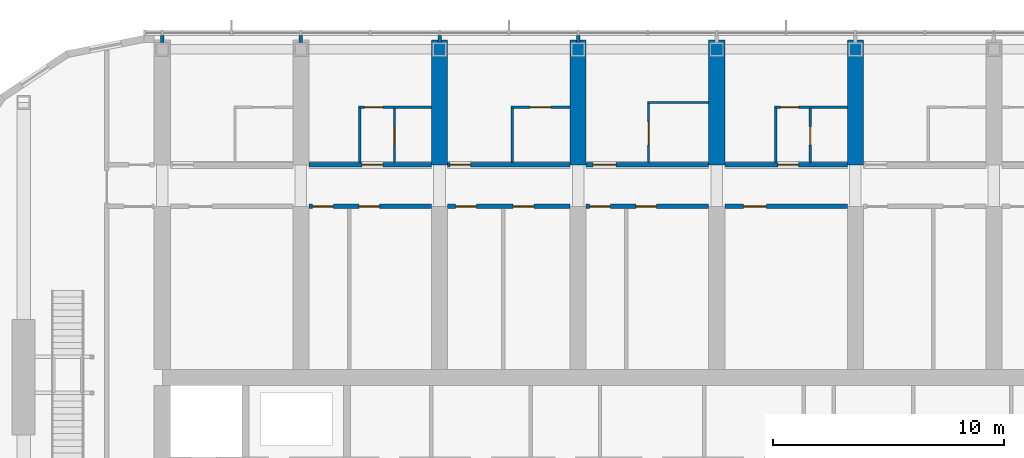
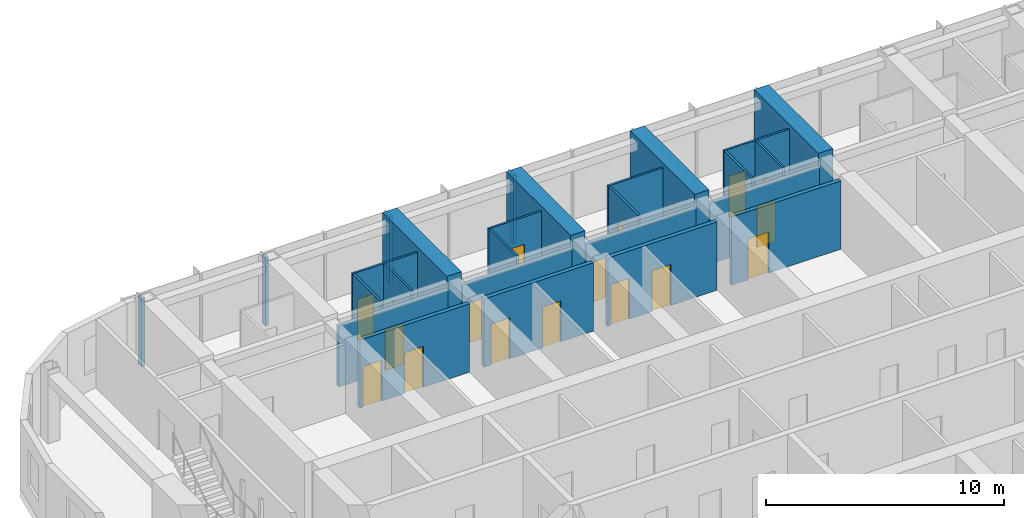
# One storey, part 19 of 28: 26 walls, 17 doors, 17 openings.
"""IFC4 building model written with IfcOpenShell, lengths in metres."""

from ifc_helpers import new_model, si_unit, direction, frame, frame_2d, origin, place, context, subcontext, project, spatial, polyline, rectangle, outline, extrude, material, layer, layer_set, type_object, element, fill, save


model = new_model("IFC4")

# Units and contexts
model_context = context("Model", 3, precision=1e-05, world=origin(), true_north=direction((0.0, 1.0)))
body_context = subcontext(model_context, "Body", "Model", "MODEL_VIEW")
ifc_project = project(units=[si_unit("LENGTHUNIT", "METRE"), si_unit("AREAUNIT", "SQUARE_METRE"), si_unit("VOLUMEUNIT", "CUBIC_METRE"), si_unit("PLANEANGLEUNIT", "RADIAN"), si_unit("MASSUNIT", "GRAM", prefix="KILO")], contexts=[model_context])

# Site, building, storey
site_placement = place(None, origin())
site = spatial("IfcSite", under=ifc_project, at=site_placement, CompositionType="ELEMENT")
building_placement = place(site_placement, origin())
building = spatial("IfcBuilding", under=site, at=building_placement, Name="Orbita Commons", CompositionType="ELEMENT")
storey_placement = place(building_placement, frame((0.0, 0.0, 216.550048828125)))
storey = spatial("IfcBuildingStorey", under=building, at=storey_placement, Name="L53", CompositionType="ELEMENT", Elevation=216.550048828125)

# Wall, opening, door
ifc_material_1 = material(Name="Concrete blockwork", Category="masonry")
ifc_layer_1 = layer(ifc_material_1, 0.199951171875)
ifc_layer_set_1 = layer_set([ifc_layer_1], Name="Concrete blockwork")
wall_type_1 = type_object("IfcWallType", Name="Corridor wall 200 blockwork", PredefinedType="SOLIDWALL", material=ifc_layer_set_1)
wall_1_placement = place(storey_placement, frame((24.35009765625, 47.39990234375, 0.0), z_axis=(0.0, 0.0, 1.0), x_axis=(1.0, 0.0, 0.0)))
wall_1 = element("IfcWall", 1, at=wall_1_placement, inside=storey, type_object=wall_type_1, Name="Corridor wall 200 blockwork L53", PredefinedType="SOLIDWALL", context=body_context, shape_type="SweptSolid", body=[
    extrude(outline(polyline([(0.0, 0.0), (5.2998046875, 0.0), (5.300048828125, 3.099853515625), (0.0, 3.099853515625), (0.0, 0.0)])), frame((0.0, 0.10009765625, 0.0), z_axis=(0.0, -1.0, 0.0), x_axis=(1.0, 0.0, 0.0)), (0.0, 0.0, 1.0), 0.199951171875),
])
opening_1_placement = place(wall_1_placement, frame((2.300048828125, 0.0, 0.0)))
opening_1 = element("IfcOpeningElement", 2, at=opening_1_placement, cuts=wall_1, Name="Opening D11", PredefinedType="OPENING", context=body_context, shape_type="SweptSolid", body=[
    extrude(rectangle(XDim=0.89990234375, YDim=2.10009765625, at=frame_2d((0.449951171875, 1.050048828125))), frame((0.0, 0.10986328125, 0.0), z_axis=(0.0, -1.0, 0.0), x_axis=(1.0, 0.0, 0.0)), (0.0, 0.0, 1.0), 0.219970703125),
])
ifc_material_2 = material(Name="Steel-faced fire door leaf", Category="steel")
door_type_1 = type_object("IfcDoorType", Name="Corridor door 20 min 900x2100", OperationType="SINGLE_SWING_LEFT", PredefinedType="DOOR", material=ifc_material_2)
door_1_placement = place(opening_1_placement, origin())
door_1 = element("IfcDoor", 3, at=door_1_placement, inside=storey, type_object=door_type_1, Name="Studio flat L53-N02 entrance door", OperationType="SINGLE_SWING_LEFT", OverallHeight=2.10009765625, OverallWidth=0.89990234375, PredefinedType="DOOR", context=body_context, shape_type="SweptSolid", body=[
    extrude(rectangle(XDim=0.89990234375, YDim=2.10009765625, at=frame_2d((0.449951171875, 1.050048828125))), frame((0.0, 0.02490234375, 0.0), z_axis=(0.0, -1.0, 0.0), x_axis=(1.0, 0.0, 0.0)), (0.0, 0.0, 1.0), 0.050048828125),
])
fill(opening_1, door_1)

wall_2_placement = place(storey_placement, frame((30.35009765625, 47.39990234375, 0.0), z_axis=(0.0, 0.0, 1.0), x_axis=(1.0, 0.0, 0.0)))
wall_2 = element("IfcWall", 4, at=wall_2_placement, inside=storey, type_object=wall_type_1, Name="Corridor wall 200 blockwork L53", PredefinedType="SOLIDWALL", context=body_context, shape_type="SweptSolid", body=[
    extrude(outline(polyline([(0.0, 0.0), (5.2998046875, 0.0), (5.300048828125, 3.099853515625), (0.0, 3.099853515625), (0.0, 0.0)])), frame((0.0, 0.10009765625, 0.0), z_axis=(0.0, -1.0, 0.0), x_axis=(1.0, 0.0, 0.0)), (0.0, 0.0, 1.0), 0.199951171875),
])
opening_2_placement = place(wall_2_placement, frame((0.10009765625, 0.0, 0.0)))
opening_2 = element("IfcOpeningElement", 5, at=opening_2_placement, cuts=wall_2, Name="Opening D11", PredefinedType="OPENING", context=body_context, shape_type="SweptSolid", body=[
    extrude(rectangle(XDim=0.89990234375, YDim=2.10009765625, at=frame_2d((0.449951171875, 1.050048828125))), frame((0.0, 0.10986328125, 0.0), z_axis=(0.0, -1.0, 0.0), x_axis=(1.0, 0.0, 0.0)), (0.0, 0.0, 1.0), 0.219970703125),
])
door_2_placement = place(opening_2_placement, origin())
door_2 = element("IfcDoor", 6, at=door_2_placement, inside=storey, type_object=door_type_1, Name="Studio apartment with kitchenette L53-N04 door", OperationType="SINGLE_SWING_LEFT", OverallHeight=2.10009765625, OverallWidth=0.89990234375, PredefinedType="DOOR", context=body_context, shape_type="SweptSolid", body=[
    extrude(rectangle(XDim=0.89990234375, YDim=2.10009765625, at=frame_2d((0.449951171875, 1.050048828125))), frame((0.0, 0.02490234375, 0.0), z_axis=(0.0, -1.0, 0.0), x_axis=(1.0, 0.0, 0.0)), (0.0, 0.0, 1.0), 0.050048828125),
])
fill(opening_2, door_2)

wall_3_placement = place(storey_placement, frame((36.35009765625, 47.39990234375, 0.0), z_axis=(0.0, 0.0, 1.0), x_axis=(1.0, 0.0, 0.0)))
wall_3 = element("IfcWall", 7, at=wall_3_placement, inside=storey, type_object=wall_type_1, Name="Corridor wall 200 blockwork L53", PredefinedType="SOLIDWALL", context=body_context, shape_type="SweptSolid", body=[
    extrude(outline(polyline([(0.0, 0.0), (5.2998046875, 0.0), (5.300048828125, 3.099853515625), (0.0, 3.099853515625), (0.0, 0.0)])), frame((0.0, 0.10009765625, 0.0), z_axis=(0.0, -1.0, 0.0), x_axis=(1.0, 0.0, 0.0)), (0.0, 0.0, 1.0), 0.199951171875),
])
opening_3_placement = place(wall_3_placement, frame((0.300048828125, 0.0, 0.0)))
opening_3 = element("IfcOpeningElement", 8, at=opening_3_placement, cuts=wall_3, Name="Opening D06", PredefinedType="OPENING", context=body_context, shape_type="SweptSolid", body=[
    extrude(rectangle(XDim=1.0, YDim=2.10009765625, at=frame_2d((0.5, 1.050048828125))), frame((0.0, 0.10986328125, 0.0), z_axis=(0.0, -1.0, 0.0), x_axis=(1.0, 0.0, 0.0)), (0.0, 0.0, 1.0), 0.219970703125),
])
ifc_material_3 = material(Name="Steel-faced fire door leaf", Category="steel")
door_type_2 = type_object("IfcDoorType", Name="Corridor door 20 min 1000x2100", OperationType="SINGLE_SWING_LEFT", PredefinedType="DOOR", material=ifc_material_3)
door_3_placement = place(opening_3_placement, origin())
door_3 = element("IfcDoor", 9, at=door_3_placement, inside=storey, type_object=door_type_2, Name="Accessible bedroom L53-N06 door", OperationType="SINGLE_SWING_LEFT", OverallHeight=2.10009765625, OverallWidth=1.0, PredefinedType="DOOR", context=body_context, shape_type="SweptSolid", body=[
    extrude(rectangle(XDim=1.0, YDim=2.10009765625, at=frame_2d((0.5, 1.050048828125))), frame((0.0, 0.02490234375, 0.0), z_axis=(0.0, -1.0, 0.0), x_axis=(1.0, 0.0, 0.0)), (0.0, 0.0, 1.0), 0.050048828125),
])
fill(opening_3, door_3)

wall_4_placement = place(storey_placement, frame((42.35009765625, 47.39990234375, 0.0), z_axis=(0.0, 0.0, 1.0), x_axis=(1.0, 0.0, 0.0)))
wall_4 = element("IfcWall", 10, at=wall_4_placement, inside=storey, type_object=wall_type_1, Name="Corridor wall 200 blockwork L53", PredefinedType="SOLIDWALL", context=body_context, shape_type="SweptSolid", body=[
    extrude(outline(polyline([(0.0, 0.0), (5.2998046875, 0.0), (5.300048828125, 3.099853515625), (0.0, 3.099853515625), (0.0, 0.0)])), frame((0.0, 0.10009765625, 0.0), z_axis=(0.0, -1.0, 0.0), x_axis=(1.0, 0.0, 0.0)), (0.0, 0.0, 1.0), 0.199951171875),
])
opening_4_placement = place(wall_4_placement, frame((2.300048828125, 0.0, 0.0)))
opening_4 = element("IfcOpeningElement", 11, at=opening_4_placement, cuts=wall_4, Name="Opening D11", PredefinedType="OPENING", context=body_context, shape_type="SweptSolid", body=[
    extrude(rectangle(XDim=0.89990234375, YDim=2.10009765625, at=frame_2d((0.449951171875, 1.050048828125))), frame((0.0, 0.10986328125, 0.0), z_axis=(0.0, -1.0, 0.0), x_axis=(1.0, 0.0, 0.0)), (0.0, 0.0, 1.0), 0.219970703125),
])
door_4_placement = place(opening_4_placement, origin())
door_4 = element("IfcDoor", 12, at=door_4_placement, inside=storey, type_object=door_type_1, Name="Studio flat L53-N08 entrance door", OperationType="SINGLE_SWING_LEFT", OverallHeight=2.10009765625, OverallWidth=0.89990234375, PredefinedType="DOOR", context=body_context, shape_type="SweptSolid", body=[
    extrude(rectangle(XDim=0.89990234375, YDim=2.10009765625, at=frame_2d((0.449951171875, 1.050048828125))), frame((0.0, 0.02490234375, 0.0), z_axis=(0.0, -1.0, 0.0), x_axis=(1.0, 0.0, 0.0)), (0.0, 0.0, 1.0), 0.050048828125),
])
fill(opening_4, door_4)

# Wall, openings, doors
ifc_material_4 = material(Name="Hollow concrete block 200", Category="concrete")
ifc_layer_2 = layer(ifc_material_4, 0.199951171875)
ifc_layer_set_2 = layer_set([ifc_layer_2], Name="Hollow concrete block 200")
wall_type_2 = type_object("IfcWallType", Name="Corridor wall 200 hollow concrete block", PredefinedType="SOLIDWALL", material=ifc_layer_set_2)
wall_5_placement = place(storey_placement, frame((24.35009765625, 45.60009765625, 0.0), z_axis=(0.0, 0.0, 1.0), x_axis=(1.0, 0.0, 0.0)))
wall_5 = element("IfcWall", 13, at=wall_5_placement, inside=storey, type_object=wall_type_2, Name="Corridor wall 200 hollow concrete block L53", PredefinedType="SOLIDWALL", context=body_context, shape_type="SweptSolid", body=[
    extrude(rectangle(XDim=5.2998046875, YDim=0.199951171875, at=frame_2d((2.64990234375, 0.0))), origin(), (0.0, 0.0, 1.0), 3.5),
])
opening_5_placement = place(wall_5_placement, frame((0.14990234375, 0.0, 0.0)))
opening_5 = element("IfcOpeningElement", 14, at=opening_5_placement, cuts=wall_5, Name="Opening D11", PredefinedType="OPENING", context=body_context, shape_type="SweptSolid", body=[
    extrude(rectangle(XDim=0.89990234375, YDim=2.10009765625, at=frame_2d((0.449951171875, 1.050048828125))), frame((0.0, 0.10986328125, 0.0), z_axis=(0.0, -1.0, 0.0), x_axis=(1.0, 0.0, 0.0)), (0.0, 0.0, 1.0), 0.219970703125),
])
opening_6_placement = place(wall_5_placement, frame((2.159912109375, 0.0, 0.0)))
opening_6 = element("IfcOpeningElement", 15, at=opening_6_placement, cuts=wall_5, Name="Opening D11", PredefinedType="OPENING", context=body_context, shape_type="SweptSolid", body=[
    extrude(rectangle(XDim=0.89990234375, YDim=2.10009765625, at=frame_2d((0.449951171875, 1.050048828125))), frame((0.0, 0.10986328125, 0.0), z_axis=(0.0, -1.0, 0.0), x_axis=(1.0, 0.0, 0.0)), (0.0, 0.0, 1.0), 0.219970703125),
])
door_5_placement = place(opening_5_placement, origin())
door_5 = element("IfcDoor", 16, at=door_5_placement, inside=storey, type_object=door_type_1, Name="Water heater cupboard L53-BDN24n door", OperationType="SINGLE_SWING_LEFT", OverallHeight=2.10009765625, OverallWidth=0.89990234375, PredefinedType="DOOR", context=body_context, shape_type="SweptSolid", body=[
    extrude(rectangle(XDim=0.89990234375, YDim=2.10009765625, at=frame_2d((0.449951171875, 1.050048828125))), frame((0.0, 0.02490234375, 0.0), z_axis=(0.0, -1.0, 0.0), x_axis=(1.0, 0.0, 0.0)), (0.0, 0.0, 1.0), 0.050048828125),
])
fill(opening_5, door_5)
door_6_placement = place(opening_6_placement, origin())
door_6 = element("IfcDoor", 17, at=door_6_placement, inside=storey, type_object=door_type_1, Name="Electrical and data room L53-BDN24 door", OperationType="SINGLE_SWING_LEFT", OverallHeight=2.10009765625, OverallWidth=0.89990234375, PredefinedType="DOOR", context=body_context, shape_type="SweptSolid", body=[
    extrude(rectangle(XDim=0.89990234375, YDim=2.10009765625, at=frame_2d((0.449951171875, 1.050048828125))), frame((0.0, 0.02490234375, 0.0), z_axis=(0.0, -1.0, 0.0), x_axis=(1.0, 0.0, 0.0)), (0.0, 0.0, 1.0), 0.050048828125),
])
fill(opening_6, door_6)

wall_6_placement = place(storey_placement, frame((30.35009765625, 45.60009765625, 0.0), z_axis=(0.0, 0.0, 1.0), x_axis=(1.0, 0.0, 0.0)))
wall_6 = element("IfcWall", 18, at=wall_6_placement, inside=storey, type_object=wall_type_2, Name="Corridor wall 200 hollow concrete block L53", PredefinedType="SOLIDWALL", context=body_context, shape_type="SweptSolid", body=[
    extrude(rectangle(XDim=5.2998046875, YDim=0.199951171875, at=frame_2d((2.64990234375, 0.0))), origin(), (0.0, 0.0, 1.0), 3.5),
])
opening_7_placement = place(wall_6_placement, frame((0.35009765625, 0.0, 0.0)))
opening_7 = element("IfcOpeningElement", 19, at=opening_7_placement, cuts=wall_6, Name="Opening D11", PredefinedType="OPENING", context=body_context, shape_type="SweptSolid", body=[
    extrude(rectangle(XDim=0.89990234375, YDim=2.10009765625, at=frame_2d((0.449951171875, 1.050048828125))), frame((0.0, 0.10986328125, 0.0), z_axis=(0.0, -1.0, 0.0), x_axis=(1.0, 0.0, 0.0)), (0.0, 0.0, 1.0), 0.219970703125),
])
opening_8_placement = place(wall_6_placement, frame((2.8349609375, 0.0, 0.0)))
opening_8 = element("IfcOpeningElement", 20, at=opening_8_placement, cuts=wall_6, Name="Opening D11", PredefinedType="OPENING", context=body_context, shape_type="SweptSolid", body=[
    extrude(rectangle(XDim=0.89990234375, YDim=2.10009765625, at=frame_2d((0.449951171875, 1.050048828125))), frame((0.0, 0.10986328125, 0.0), z_axis=(0.0, -1.0, 0.0), x_axis=(1.0, 0.0, 0.0)), (0.0, 0.0, 1.0), 0.219970703125),
])
door_7_placement = place(opening_7_placement, origin())
door_7 = element("IfcDoor", 21, at=door_7_placement, inside=storey, type_object=door_type_1, Name="Equipment store L53-BDN30n door", OperationType="SINGLE_SWING_LEFT", OverallHeight=2.10009765625, OverallWidth=0.89990234375, PredefinedType="DOOR", context=body_context, shape_type="SweptSolid", body=[
    extrude(rectangle(XDim=0.89990234375, YDim=2.10009765625, at=frame_2d((0.449951171875, 1.050048828125))), frame((0.0, 0.02490234375, 0.0), z_axis=(0.0, -1.0, 0.0), x_axis=(1.0, 0.0, 0.0)), (0.0, 0.0, 1.0), 0.050048828125),
])
fill(opening_7, door_7)
door_8_placement = place(opening_8_placement, origin())
door_8 = element("IfcDoor", 22, at=door_8_placement, inside=storey, type_object=door_type_1, Name="Ventilation plant room north L53-BDN30 door", OperationType="SINGLE_SWING_LEFT", OverallHeight=2.10009765625, OverallWidth=0.89990234375, PredefinedType="DOOR", context=body_context, shape_type="SweptSolid", body=[
    extrude(rectangle(XDim=0.89990234375, YDim=2.10009765625, at=frame_2d((0.449951171875, 1.050048828125))), frame((0.0, 0.02490234375, 0.0), z_axis=(0.0, -1.0, 0.0), x_axis=(1.0, 0.0, 0.0)), (0.0, 0.0, 1.0), 0.050048828125),
])
fill(opening_8, door_8)

wall_7_placement = place(storey_placement, frame((36.35009765625, 45.60009765625, 0.0), z_axis=(0.0, 0.0, 1.0), x_axis=(1.0, 0.0, 0.0)))
wall_7 = element("IfcWall", 23, at=wall_7_placement, inside=storey, type_object=wall_type_2, Name="Corridor wall 200 hollow concrete block L53", PredefinedType="SOLIDWALL", context=body_context, shape_type="SweptSolid", body=[
    extrude(rectangle(XDim=5.2998046875, YDim=0.199951171875, at=frame_2d((2.64990234375, 0.0))), origin(), (0.0, 0.0, 1.0), 3.5),
])
opening_9_placement = place(wall_7_placement, frame((0.14990234375, 0.0, 0.0)))
opening_9 = element("IfcOpeningElement", 24, at=opening_9_placement, cuts=wall_7, Name="Opening D11", PredefinedType="OPENING", context=body_context, shape_type="SweptSolid", body=[
    extrude(rectangle(XDim=0.89990234375, YDim=2.10009765625, at=frame_2d((0.449951171875, 1.050048828125))), frame((0.0, 0.10986328125, 0.0), z_axis=(0.0, -1.0, 0.0), x_axis=(1.0, 0.0, 0.0)), (0.0, 0.0, 1.0), 0.219970703125),
])
opening_10_placement = place(wall_7_placement, frame((2.14990234375, 0.0, 0.0)))
opening_10 = element("IfcOpeningElement", 25, at=opening_10_placement, cuts=wall_7, Name="Opening D11", PredefinedType="OPENING", context=body_context, shape_type="SweptSolid", body=[
    extrude(rectangle(XDim=0.89990234375, YDim=2.10009765625, at=frame_2d((0.449951171875, 1.050048828125))), frame((0.0, 0.10986328125, 0.0), z_axis=(0.0, -1.0, 0.0), x_axis=(1.0, 0.0, 0.0)), (0.0, 0.0, 1.0), 0.219970703125),
])
door_9_placement = place(opening_9_placement, origin())
door_9 = element("IfcDoor", 26, at=door_9_placement, inside=storey, type_object=door_type_1, Name="Battery and UPS room L53-BDN36n door", OperationType="SINGLE_SWING_LEFT", OverallHeight=2.10009765625, OverallWidth=0.89990234375, PredefinedType="DOOR", context=body_context, shape_type="SweptSolid", body=[
    extrude(rectangle(XDim=0.89990234375, YDim=2.10009765625, at=frame_2d((0.449951171875, 1.050048828125))), frame((0.0, 0.02490234375, 0.0), z_axis=(0.0, -1.0, 0.0), x_axis=(1.0, 0.0, 0.0)), (0.0, 0.0, 1.0), 0.050048828125),
])
fill(opening_9, door_9)
door_10_placement = place(opening_10_placement, origin())
door_10 = element("IfcDoor", 27, at=door_10_placement, inside=storey, type_object=door_type_1, Name="Furniture store L53-BDN36 door", OperationType="SINGLE_SWING_LEFT", OverallHeight=2.10009765625, OverallWidth=0.89990234375, PredefinedType="DOOR", context=body_context, shape_type="SweptSolid", body=[
    extrude(rectangle(XDim=0.89990234375, YDim=2.10009765625, at=frame_2d((0.449951171875, 1.050048828125))), frame((0.0, 0.02490234375, 0.0), z_axis=(0.0, -1.0, 0.0), x_axis=(1.0, 0.0, 0.0)), (0.0, 0.0, 1.0), 0.050048828125),
])
fill(opening_10, door_10)

# Wall, opening, door
wall_8_placement = place(storey_placement, frame((42.35009765625, 45.60009765625, 0.0), z_axis=(0.0, 0.0, 1.0), x_axis=(1.0, 0.0, 0.0)))
wall_8 = element("IfcWall", 28, at=wall_8_placement, inside=storey, type_object=wall_type_2, Name="Corridor wall 200 hollow concrete block L53", PredefinedType="SOLIDWALL", context=body_context, shape_type="SweptSolid", body=[
    extrude(rectangle(XDim=5.2998046875, YDim=0.199951171875, at=frame_2d((2.64990234375, 0.0))), origin(), (0.0, 0.0, 1.0), 3.5),
])
opening_11_placement = place(wall_8_placement, frame((0.800048828125, 0.0, 0.0)))
opening_11 = element("IfcOpeningElement", 29, at=opening_11_placement, cuts=wall_8, Name="Opening D06", PredefinedType="OPENING", context=body_context, shape_type="SweptSolid", body=[
    extrude(rectangle(XDim=1.0, YDim=2.10009765625, at=frame_2d((0.5, 1.050048828125))), frame((0.0, 0.10986328125, 0.0), z_axis=(0.0, -1.0, 0.0), x_axis=(1.0, 0.0, 0.0)), (0.0, 0.0, 1.0), 0.219970703125),
])
door_11_placement = place(opening_11_placement, origin())
door_11 = element("IfcDoor", 30, at=door_11_placement, inside=storey, type_object=door_type_2, Name="Store L53-BDN42 door", OperationType="SINGLE_SWING_LEFT", OverallHeight=2.10009765625, OverallWidth=1.0, PredefinedType="DOOR", context=body_context, shape_type="SweptSolid", body=[
    extrude(rectangle(XDim=1.0, YDim=2.10009765625, at=frame_2d((0.5, 1.050048828125))), frame((0.0, 0.02490234375, 0.0), z_axis=(0.0, -1.0, 0.0), x_axis=(1.0, 0.0, 0.0)), (0.0, 0.0, 1.0), 0.050048828125),
])
fill(opening_11, door_11)

# Walls
ifc_material_5 = material(Name="Concrete C50/60", Category="concrete")
ifc_layer_3 = layer(ifc_material_5, 0.699951171875)
ifc_layer_set_3 = layer_set([ifc_layer_3], Name="Concrete C50/60")
wall_type_3 = type_object("IfcWallType", Name="Cross wall 700 C50/60", PredefinedType="SHEAR", material=ifc_layer_set_3)
for number, where, z_axis, x_axis, name in (
    (31, (30.0, 47.39990234375, 0.0), (0.0, 0.0, 1.0), (0.0, 1.0, 0.0), "Cross wall 6 north outer L53"),
    (32, (36.0, 47.39990234375, 0.0), (0.0, 0.0, 1.0), (0.0, 1.0, 0.0), "Cross wall 7 north outer L53"),
    (33, (42.0, 47.39990234375, 0.0), (0.0, 0.0, 1.0), (0.0, 1.0, 0.0), "Cross wall 8 north outer L53"),
    (34, (48.0, 47.39990234375, 0.0), (0.0, 0.0, 1.0), (0.0, 1.0, 0.0), "Cross wall 9 north outer L53"),
):
    element("IfcWall", number, at=place(storey_placement, frame(where, z_axis=z_axis, x_axis=x_axis)), inside=storey, type_object=wall_type_3, Name=name, PredefinedType="SHEAR", context=body_context, shape_type="SweptSolid", body=[
        extrude(rectangle(XDim=5.400146484375, YDim=0.699951171875, at=frame_2d((2.7001953125, 0.0))), origin(), (0.0, 0.0, 1.0), 3.75),
    ])

# Wall, opening, door
ifc_material_6 = material(Name="Moisture-resistant plasterboard on steel studs", Category="steel")
ifc_layer_4 = layer(ifc_material_6, 0.10009765625)
ifc_layer_set_4 = layer_set([ifc_layer_4], Name="Moisture-resistant plasterboard on steel studs")
wall_type_4 = type_object("IfcWallType", Name="En-suite partition 100", PredefinedType="PARTITIONING", material=ifc_layer_set_4)
wall_9_placement = place(storey_placement, frame((26.5, 49.89990234375, 0.0), z_axis=(0.0, 0.0, 1.0), x_axis=(1.0, 0.0, 0.0)))
wall_9 = element("IfcWall", 35, at=wall_9_placement, inside=storey, type_object=wall_type_4, Name="En-suite partition 100 L53", PredefinedType="PARTITIONING", context=body_context, shape_type="SweptSolid", body=[
    extrude(rectangle(XDim=3.14990234375, YDim=0.10009765625, at=frame_2d((1.574951171875, 0.0))), origin(), (0.0, 0.0, 1.0), 3.5),
])
opening_12_placement = place(wall_9_placement, frame((0.25, 0.0, 0.0)))
opening_12 = element("IfcOpeningElement", 36, at=opening_12_placement, cuts=wall_9, Name="Opening D16", PredefinedType="OPENING", context=body_context, shape_type="SweptSolid", body=[
    extrude(rectangle(XDim=0.800048828125, YDim=2.10009765625, at=frame_2d((0.39990234375, 1.050048828125))), frame((0.0, 0.06005859375, 0.0), z_axis=(0.0, -1.0, 0.0), x_axis=(1.0, 0.0, 0.0)), (0.0, 0.0, 1.0), 0.1201171875),
])
ifc_material_7 = material(Name="Laminated timber door leaf", Category="wood")
door_type_3 = type_object("IfcDoorType", Name="En-suite door 800x2100", OperationType="SINGLE_SWING_RIGHT", PredefinedType="DOOR", material=ifc_material_7)
door_12_placement = place(opening_12_placement, origin())
door_12 = element("IfcDoor", 37, at=door_12_placement, inside=storey, type_object=door_type_3, Name="Studio flat L53-N02 door", OperationType="SINGLE_SWING_RIGHT", OverallHeight=2.10009765625, OverallWidth=0.800048828125, PredefinedType="DOOR", context=body_context, shape_type="SweptSolid", body=[
    extrude(rectangle(XDim=0.800048828125, YDim=2.10009765625, at=frame_2d((0.39990234375, 1.050048828125))), frame((0.0, 0.02490234375, 0.0), z_axis=(0.0, -1.0, 0.0), x_axis=(1.0, 0.0, 0.0)), (0.0, 0.0, 1.0), 0.050048828125),
])
fill(opening_12, door_12)

# Wall
wall_10_placement = place(storey_placement, frame((26.550048828125, 49.85009765625, 0.0), z_axis=(0.0, 0.0, 1.0), x_axis=(0.0, -1.0, 0.0)))
element("IfcWall", 38, at=wall_10_placement, inside=storey, type_object=wall_type_4, Name="En-suite partition 100 L53", PredefinedType="PARTITIONING", context=body_context, shape_type="SweptSolid", body=[
    extrude(outline(polyline([(0.0, 0.0), (2.35009765625, 0.0), (2.35009765625, 3.099853515625), (2.302001953125, 3.099853515625), (2.300048828125, 3.5), (0.0, 3.5), (0.0, 0.0)])), frame((0.0, 0.050048828125, 0.0), z_axis=(0.0, -1.0, 0.0), x_axis=(1.0, 0.0, 0.0)), (0.0, 0.0, 1.0), 0.10009765625),
])

# Wall, opening, door
wall_11_placement = place(storey_placement, frame((28.050048828125, 49.85009765625, 0.0), z_axis=(0.0, 0.0, 1.0), x_axis=(0.0, -1.0, 0.0)))
wall_11 = element("IfcWall", 39, at=wall_11_placement, inside=storey, type_object=wall_type_4, Name="En-suite partition 100 L53", PredefinedType="PARTITIONING", context=body_context, shape_type="SweptSolid", body=[
    extrude(outline(polyline([(0.0, 0.0), (2.35009765625, 0.0), (2.35009765625, 3.099853515625), (2.302001953125, 3.099853515625), (2.300048828125, 3.5), (0.0, 3.5), (0.0, 0.0)])), frame((0.0, 0.050048828125, 0.0), z_axis=(0.0, -1.0, 0.0), x_axis=(1.0, 0.0, 0.0)), (0.0, 0.0, 1.0), 0.10009765625),
])
opening_13_placement = place(wall_11_placement, frame((0.800048828125, 0.0, 0.0)))
opening_13 = element("IfcOpeningElement", 40, at=opening_13_placement, cuts=wall_11, Name="Opening D16", PredefinedType="OPENING", context=body_context, shape_type="SweptSolid", body=[
    extrude(rectangle(XDim=0.800048828125, YDim=2.10009765625, at=frame_2d((0.39990234375, 1.050048828125))), frame((0.0, 0.06005859375, 0.0), z_axis=(0.0, -1.0, 0.0), x_axis=(1.0, 0.0, 0.0)), (0.0, 0.0, 1.0), 0.1201171875),
])
door_13_placement = place(opening_13_placement, origin())
door_13 = element("IfcDoor", 41, at=door_13_placement, inside=storey, type_object=door_type_3, Name="Studio flat shower room L53-N02 door", OperationType="SINGLE_SWING_RIGHT", OverallHeight=2.10009765625, OverallWidth=0.800048828125, PredefinedType="DOOR", context=body_context, shape_type="SweptSolid", body=[
    extrude(rectangle(XDim=0.800048828125, YDim=2.10009765625, at=frame_2d((0.39990234375, 1.050048828125))), frame((0.0, 0.02490234375, 0.0), z_axis=(0.0, -1.0, 0.0), x_axis=(1.0, 0.0, 0.0)), (0.0, 0.0, 1.0), 0.050048828125),
])
fill(opening_13, door_13)

wall_12_placement = place(storey_placement, frame((33.10009765625, 49.89990234375, 0.0), z_axis=(0.0, 0.0, 1.0), x_axis=(1.0, 0.0, 0.0)))
wall_12 = element("IfcWall", 42, at=wall_12_placement, inside=storey, type_object=wall_type_4, Name="En-suite partition 100 L53", PredefinedType="PARTITIONING", context=body_context, shape_type="SweptSolid", body=[
    extrude(rectangle(XDim=2.5498046875, YDim=0.10009765625, at=frame_2d((1.27490234375, 0.0))), origin(), (0.0, 0.0, 1.0), 3.5),
])
opening_14_placement = place(wall_12_placement, frame((0.824951171875, 0.0, 0.0)))
opening_14 = element("IfcOpeningElement", 43, at=opening_14_placement, cuts=wall_12, Name="Opening D09", PredefinedType="OPENING", context=body_context, shape_type="SweptSolid", body=[
    extrude(rectangle(XDim=0.89990234375, YDim=2.10009765625, at=frame_2d((0.449951171875, 1.050048828125))), frame((0.0, 0.06005859375, 0.0), z_axis=(0.0, -1.0, 0.0), x_axis=(1.0, 0.0, 0.0)), (0.0, 0.0, 1.0), 0.1201171875),
])
ifc_material_8 = material(Name="Laminated timber door leaf", Category="wood")
door_type_4 = type_object("IfcDoorType", Name="En-suite door 900x2100", OperationType="SINGLE_SWING_RIGHT", PredefinedType="DOOR", material=ifc_material_8)
door_14_placement = place(opening_14_placement, origin())
door_14 = element("IfcDoor", 44, at=door_14_placement, inside=storey, type_object=door_type_4, Name="En-suite L53-N04 door", OperationType="SINGLE_SWING_RIGHT", OverallHeight=2.10009765625, OverallWidth=0.89990234375, PredefinedType="DOOR", context=body_context, shape_type="SweptSolid", body=[
    extrude(rectangle(XDim=0.89990234375, YDim=2.10009765625, at=frame_2d((0.449951171875, 1.050048828125))), frame((0.0, 0.02490234375, 0.0), z_axis=(0.0, -1.0, 0.0), x_axis=(1.0, 0.0, 0.0)), (0.0, 0.0, 1.0), 0.050048828125),
])
fill(opening_14, door_14)

# Walls
wall_13_placement = place(storey_placement, frame((33.14990234375, 49.85009765625, 0.0), z_axis=(0.0, 0.0, 1.0), x_axis=(0.0, -1.0, 0.0)))
element("IfcWall", 45, at=wall_13_placement, inside=storey, type_object=wall_type_4, Name="En-suite partition 100 L53", PredefinedType="PARTITIONING", context=body_context, shape_type="SweptSolid", body=[
    extrude(outline(polyline([(0.0, 0.0), (2.35009765625, 0.0), (2.35009765625, 3.099853515625), (2.302001953125, 3.099853515625), (2.300048828125, 3.5), (0.0, 3.5), (0.0, 0.0)])), frame((0.0, 0.050048828125, 0.0), z_axis=(0.0, -1.0, 0.0), x_axis=(1.0, 0.0, 0.0)), (0.0, 0.0, 1.0), 0.10009765625),
])
wall_14_placement = place(storey_placement, frame((39.0, 50.10009765625, 0.0), z_axis=(0.0, 0.0, 1.0), x_axis=(1.0, 0.0, 0.0)))
element("IfcWall", 46, at=wall_14_placement, inside=storey, type_object=wall_type_4, Name="En-suite partition 100 L53", PredefinedType="PARTITIONING", context=body_context, shape_type="SweptSolid", body=[
    extrude(rectangle(XDim=2.64990234375, YDim=0.10009765625, at=frame_2d((1.324951171875, 0.0))), origin(), (0.0, 0.0, 1.0), 3.5),
])

# Wall, opening, door
wall_15_placement = place(storey_placement, frame((39.050048828125, 50.050048828125, 0.0), z_axis=(0.0, 0.0, 1.0), x_axis=(0.0, -1.0, 0.0)))
wall_15 = element("IfcWall", 47, at=wall_15_placement, inside=storey, type_object=wall_type_4, Name="En-suite partition 100 L53", PredefinedType="PARTITIONING", context=body_context, shape_type="SweptSolid", body=[
    extrude(outline(polyline([(0.0, 0.0), (2.550048828125, 0.0), (2.550048828125, 3.099853515625), (2.501953125, 3.099853515625), (2.5, 3.5), (0.0, 3.5), (0.0, 0.0)])), frame((0.0, 0.050048828125, 0.0), z_axis=(0.0, -1.0, 0.0), x_axis=(1.0, 0.0, 0.0)), (0.0, 0.0, 1.0), 0.10009765625),
])
opening_15_placement = place(wall_15_placement, frame((0.800048828125, 0.0, 0.0)))
opening_15 = element("IfcOpeningElement", 48, at=opening_15_placement, cuts=wall_15, Name="Opening D13", PredefinedType="OPENING", context=body_context, shape_type="SweptSolid", body=[
    extrude(rectangle(XDim=1.0, YDim=2.10009765625, at=frame_2d((0.5, 1.050048828125))), frame((0.0, 0.06005859375, 0.0), z_axis=(0.0, -1.0, 0.0), x_axis=(1.0, 0.0, 0.0)), (0.0, 0.0, 1.0), 0.1201171875),
])
ifc_material_9 = material(Name="Laminated timber door leaf", Category="wood")
door_type_5 = type_object("IfcDoorType", Name="En-suite door 1000x2100", OperationType="SINGLE_SWING_RIGHT", PredefinedType="DOOR", material=ifc_material_9)
door_15_placement = place(opening_15_placement, origin())
door_15 = element("IfcDoor", 49, at=door_15_placement, inside=storey, type_object=door_type_5, Name="Accessible shower room L53-N06 door", OperationType="SINGLE_SWING_RIGHT", OverallHeight=2.10009765625, OverallWidth=1.0, PredefinedType="DOOR", context=body_context, shape_type="SweptSolid", body=[
    extrude(rectangle(XDim=1.0, YDim=2.10009765625, at=frame_2d((0.5, 1.050048828125))), frame((0.0, 0.02490234375, 0.0), z_axis=(0.0, -1.0, 0.0), x_axis=(1.0, 0.0, 0.0)), (0.0, 0.0, 1.0), 0.050048828125),
])
fill(opening_15, door_15)

wall_16_placement = place(storey_placement, frame((44.5, 49.89990234375, 0.0), z_axis=(0.0, 0.0, 1.0), x_axis=(1.0, 0.0, 0.0)))
wall_16 = element("IfcWall", 50, at=wall_16_placement, inside=storey, type_object=wall_type_4, Name="En-suite partition 100 L53", PredefinedType="PARTITIONING", context=body_context, shape_type="SweptSolid", body=[
    extrude(rectangle(XDim=3.14990234375, YDim=0.10009765625, at=frame_2d((1.574951171875, 0.0))), origin(), (0.0, 0.0, 1.0), 3.5),
])
opening_16_placement = place(wall_16_placement, frame((0.25, 0.0, 0.0)))
opening_16 = element("IfcOpeningElement", 51, at=opening_16_placement, cuts=wall_16, Name="Opening D16", PredefinedType="OPENING", context=body_context, shape_type="SweptSolid", body=[
    extrude(rectangle(XDim=0.800048828125, YDim=2.10009765625, at=frame_2d((0.39990234375, 1.050048828125))), frame((0.0, 0.06005859375, 0.0), z_axis=(0.0, -1.0, 0.0), x_axis=(1.0, 0.0, 0.0)), (0.0, 0.0, 1.0), 0.1201171875),
])
door_16_placement = place(opening_16_placement, origin())
door_16 = element("IfcDoor", 52, at=door_16_placement, inside=storey, type_object=door_type_3, Name="Studio flat L53-N08 door", OperationType="SINGLE_SWING_RIGHT", OverallHeight=2.10009765625, OverallWidth=0.800048828125, PredefinedType="DOOR", context=body_context, shape_type="SweptSolid", body=[
    extrude(rectangle(XDim=0.800048828125, YDim=2.10009765625, at=frame_2d((0.39990234375, 1.050048828125))), frame((0.0, 0.02490234375, 0.0), z_axis=(0.0, -1.0, 0.0), x_axis=(1.0, 0.0, 0.0)), (0.0, 0.0, 1.0), 0.050048828125),
])
fill(opening_16, door_16)

# Wall
wall_17_placement = place(storey_placement, frame((44.550048828125, 49.85009765625, 0.0), z_axis=(0.0, 0.0, 1.0), x_axis=(0.0, -1.0, 0.0)))
element("IfcWall", 53, at=wall_17_placement, inside=storey, type_object=wall_type_4, Name="En-suite partition 100 L53", PredefinedType="PARTITIONING", context=body_context, shape_type="SweptSolid", body=[
    extrude(outline(polyline([(0.0, 0.0), (2.35009765625, 0.0), (2.35009765625, 3.099853515625), (2.302001953125, 3.099853515625), (2.300048828125, 3.5), (0.0, 3.5), (0.0, 0.0)])), frame((0.0, 0.050048828125, 0.0), z_axis=(0.0, -1.0, 0.0), x_axis=(1.0, 0.0, 0.0)), (0.0, 0.0, 1.0), 0.10009765625),
])

# Wall, opening, door
wall_18_placement = place(storey_placement, frame((46.050048828125, 49.85009765625, 0.0), z_axis=(0.0, 0.0, 1.0), x_axis=(0.0, -1.0, 0.0)))
wall_18 = element("IfcWall", 54, at=wall_18_placement, inside=storey, type_object=wall_type_4, Name="En-suite partition 100 L53", PredefinedType="PARTITIONING", context=body_context, shape_type="SweptSolid", body=[
    extrude(outline(polyline([(0.0, 0.0), (2.35009765625, 0.0), (2.35009765625, 3.099853515625), (2.302001953125, 3.099853515625), (2.300048828125, 3.5), (0.0, 3.5), (0.0, 0.0)])), frame((0.0, 0.050048828125, 0.0), z_axis=(0.0, -1.0, 0.0), x_axis=(1.0, 0.0, 0.0)), (0.0, 0.0, 1.0), 0.10009765625),
])
opening_17_placement = place(wall_18_placement, frame((0.800048828125, 0.0, 0.0)))
opening_17 = element("IfcOpeningElement", 55, at=opening_17_placement, cuts=wall_18, Name="Opening D16", PredefinedType="OPENING", context=body_context, shape_type="SweptSolid", body=[
    extrude(rectangle(XDim=0.800048828125, YDim=2.10009765625, at=frame_2d((0.39990234375, 1.050048828125))), frame((0.0, 0.06005859375, 0.0), z_axis=(0.0, -1.0, 0.0), x_axis=(1.0, 0.0, 0.0)), (0.0, 0.0, 1.0), 0.1201171875),
])
door_17_placement = place(opening_17_placement, origin())
door_17 = element("IfcDoor", 56, at=door_17_placement, inside=storey, type_object=door_type_3, Name="Studio flat shower room L53-N08 door", OperationType="SINGLE_SWING_RIGHT", OverallHeight=2.10009765625, OverallWidth=0.800048828125, PredefinedType="DOOR", context=body_context, shape_type="SweptSolid", body=[
    extrude(rectangle(XDim=0.800048828125, YDim=2.10009765625, at=frame_2d((0.39990234375, 1.050048828125))), frame((0.0, 0.02490234375, 0.0), z_axis=(0.0, -1.0, 0.0), x_axis=(1.0, 0.0, 0.0)), (0.0, 0.0, 1.0), 0.050048828125),
])
fill(opening_17, door_17)

# Walls
ifc_material_10 = material(Name="Gypsum plasterboard on steel studs", Category="steel")
ifc_layer_5 = layer(ifc_material_10, 0.14990234375)
ifc_layer_set_5 = layer_set([ifc_layer_5], Name="Gypsum plasterboard on steel studs")
wall_type_5 = type_object("IfcWallType", Name="Partition 150 plasterboard", PredefinedType="PARTITIONING", material=ifc_layer_set_5)
for number, where, z_axis, x_axis, name in (
    (57, (18.0, 52.699951171875, 0.0), (0.0, 0.0, 1.0), (0.0, 1.0, 0.0), "Partition 150 plasterboard L53"),
    (58, (24.0, 52.699951171875, 0.0), (0.0, 0.0, 1.0), (0.0, 1.0, 0.0), "Partition 150 plasterboard L53"),
    (59, (30.0, 52.699951171875, 0.0), (0.0, 0.0, 1.0), (0.0, 1.0, 0.0), "Partition 150 plasterboard L53"),
    (60, (36.0, 52.699951171875, 0.0), (0.0, 0.0, 1.0), (0.0, 1.0, 0.0), "Partition 150 plasterboard L53"),
):
    element("IfcWall", number, at=place(storey_placement, frame(where, z_axis=z_axis, x_axis=x_axis)), inside=storey, type_object=wall_type_5, Name=name, PredefinedType="PARTITIONING", context=body_context, shape_type="SweptSolid", body=[
        extrude(rectangle(XDim=0.2900390625, YDim=0.14990234375, at=frame_2d((0.14501953125, 0.0))), origin(), (0.0, 0.0, 1.0), 3.5),
    ])

save(model, "model.ifc")
